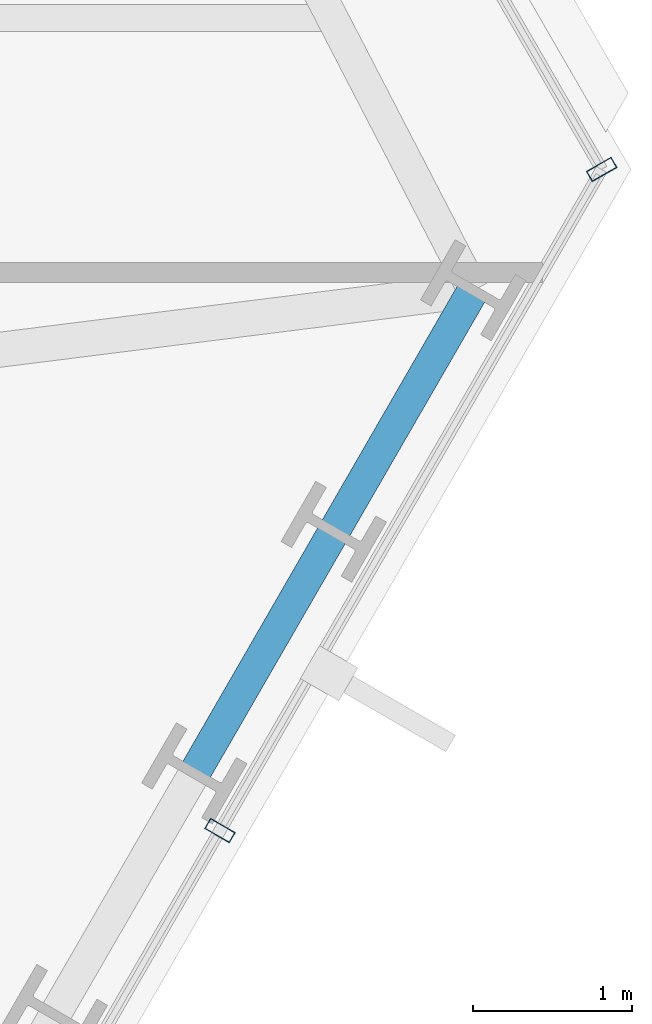
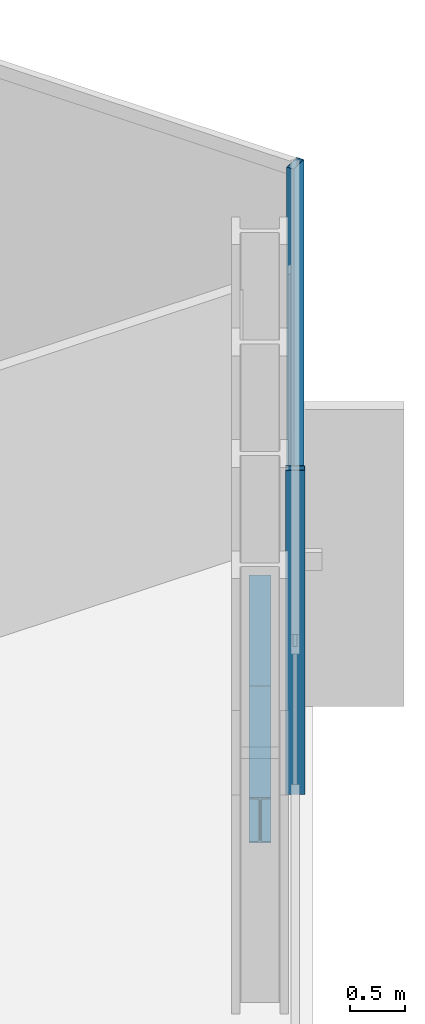
# One storey, part 18 of 33: 2 beams, 2 members, 2 elements without a shape of their own.
"""IFC4 building model written with IfcOpenShell, lengths in metres."""

from ifc_helpers import new_model, si_unit, direction, frame, origin, origin_2d, place, context, subcontext, project, spatial, hollow_rectangle, i_section, extrude, material, layer, layer_set, material_profile, profile_set, type_object, element, aggregate, save


model = new_model("IFC4")

# Units and contexts
model_context = context("Model", 3, precision=1e-05, world=origin(), true_north=direction((0.0, 1.0)))
body_context = subcontext(model_context, "Body", "Model", "MODEL_VIEW")
ifc_project = project(units=[si_unit("LENGTHUNIT", "METRE"), si_unit("AREAUNIT", "SQUARE_METRE"), si_unit("VOLUMEUNIT", "CUBIC_METRE"), si_unit("PLANEANGLEUNIT", "RADIAN"), si_unit("MASSUNIT", "GRAM", prefix="KILO")], contexts=[model_context])

# Site, building, storey
site_placement = place(None, origin())
site = spatial("IfcSite", under=ifc_project, at=site_placement, CompositionType="ELEMENT")
building_placement = place(site_placement, origin())
building = spatial("IfcBuilding", under=site, at=building_placement, Name="Ndaravel Arena Tower", CompositionType="ELEMENT")
storey_placement = place(building_placement, frame((0.0, 0.0, 81.60009765625)))
storey = spatial("IfcBuildingStorey", under=building, at=storey_placement, Name="L18", CompositionType="ELEMENT", Elevation=81.60009765625)

# Beams
ifc_material_1 = material(Name="Steel S355", Category="steel")
ifc_material_profile_1 = material_profile(ifc_material_1, i_section(OverallWidth=0.199951171875, OverallDepth=0.5, WebThickness=0.01025390625, FlangeThickness=0.01611328125, FilletRadius=0.02099609375, at=origin_2d()), Name="IPE 500")
ifc_profile_set_1 = profile_set([ifc_material_profile_1], Name="Steel S355")
beam_type = type_object("IfcBeamType", Name="BM-SPAN-IPE500", PredefinedType="SPANDREL", material=ifc_profile_set_1)
beam_1_placement = place(storey_placement, frame((62.9541015625, 13.845458984375, -0.47021484375), z_axis=(0.49990697594, 0.86607910459, 0.0), x_axis=(-0.86607910459, 0.49990697594, 0.0)))
element("IfcBeam", 1, at=beam_1_placement, inside=storey, type_object=beam_type, Name="L18 Perimeter Spandrel Beam SP-07", PredefinedType="SPANDREL", context=body_context, shape_type="SweptSolid", body=[
    extrude(i_section(OverallWidth=0.199951171875, OverallDepth=0.5, WebThickness=0.01025390625, FlangeThickness=0.01611328125, FilletRadius=0.02099609375, at=origin_2d()), origin(), (0.0, 0.0, 1.0), 1.756103515625),
])
beam_2_placement = place(storey_placement, frame((63.83203125, 15.366455078125, -0.47021484375), z_axis=(0.500011241135, 0.866018913615, 0.0), x_axis=(-0.866018913615, 0.500011241135, 0.0)))
element("IfcBeam", 2, at=beam_2_placement, inside=storey, type_object=beam_type, Name="L18 Perimeter Spandrel Beam SP-08", PredefinedType="SPANDREL", context=body_context, shape_type="SweptSolid", body=[
    extrude(i_section(OverallWidth=0.199951171875, OverallDepth=0.5, WebThickness=0.01025390625, FlangeThickness=0.01611328125, FilletRadius=0.02099609375, at=origin_2d()), origin(), (0.0, 0.0, 1.0), 1.75634765625),
])

# Curtain wall, member
ifc_material_2 = material(Name="Aluminium", Category="aluminium")
ifc_layer_1 = layer(ifc_material_2, 0.179931640625)
ifc_layer_set_1 = layer_set([ifc_layer_1], Name="Aluminium")
curtain_wall_type_1 = type_object("IfcCurtainWallType", Name="CW-SYS-01", PredefinedType="NOTDEFINED", material=ifc_layer_set_1)
curtain_wall_1_placement = place(storey_placement, origin())
curtain_wall_1 = element("IfcCurtainWall", 3, at=curtain_wall_1_placement, inside=storey, type_object=curtain_wall_type_1, Name="L18 Faceted Crystal Curtain Wall CW-L18-E02", PredefinedType="NOTDEFINED")
ifc_material_3 = material(Name="Aluminium", Category="aluminium")
ifc_material_profile_2 = material_profile(ifc_material_3, hollow_rectangle(XDim=0.074951171875, YDim=0.179931640625, WallThickness=0.00390625, at=origin_2d()), Name="CW MULLION 75x180x4")
ifc_profile_set_2 = profile_set([ifc_material_profile_2], Name="Aluminium")
member_type = type_object("IfcMemberType", Name="MEM-CW-MUL180", PredefinedType="MULLION", material=ifc_profile_set_2)
member_1_placement = place(storey_placement, frame((63.115478515625, 13.4853515625, 0.0), z_axis=(0.0, 0.0, 1.0), x_axis=(0.5, 0.866025403784, 0.0)))
member_1 = element("IfcMember", 4, at=member_1_placement, type_object=member_type, Name="CW-L18-E02 Mullion 02", PredefinedType="MULLION", context=body_context, shape_type="SweptSolid", body=[
    extrude(hollow_rectangle(XDim=0.074951171875, YDim=0.179931640625, WallThickness=0.00390625, at=origin_2d()), origin(), (0.0, 0.0, 1.0), 3.579833984375),
])
aggregate(curtain_wall_1, [member_1])

ifc_material_4 = material(Name="Aluminium", Category="aluminium")
ifc_layer_2 = layer(ifc_material_4, 0.179931640625)
ifc_layer_set_2 = layer_set([ifc_layer_2], Name="Aluminium")
curtain_wall_type_2 = type_object("IfcCurtainWallType", Name="CW-SYS-03", PredefinedType="NOTDEFINED", material=ifc_layer_set_2)
curtain_wall_2_placement = place(storey_placement, origin())
curtain_wall_2 = element("IfcCurtainWall", 5, at=curtain_wall_2_placement, inside=storey, type_object=curtain_wall_type_2, Name="L18 Faceted Crystal Curtain Wall CW-L18-E03", PredefinedType="NOTDEFINED")
member_2_placement = place(storey_placement, frame((65.518798828125, 17.64794921875, 0.0), z_axis=(0.0, 0.0, 1.0), x_axis=(-0.5, 0.866025403784, 0.0)))
member_2 = element("IfcMember", 6, at=member_2_placement, type_object=member_type, Name="CW-L18-E03 Mullion 00", PredefinedType="MULLION", context=body_context, shape_type="SweptSolid", body=[
    extrude(hollow_rectangle(XDim=0.074951171875, YDim=0.179931640625, WallThickness=0.00390625, at=origin_2d()), origin(), (0.0, 0.0, 1.0), 3.579833984375),
])
aggregate(curtain_wall_2, [member_2])

save(model, "model.ifc")
